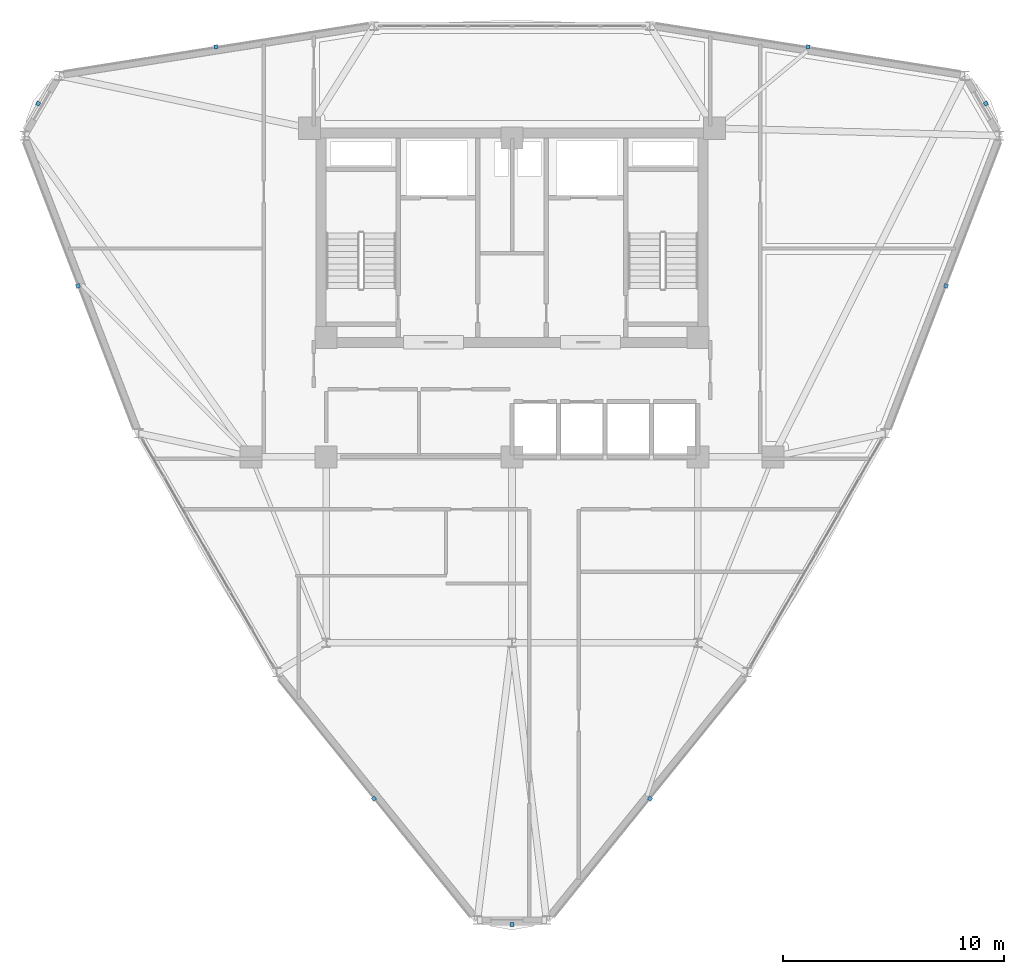
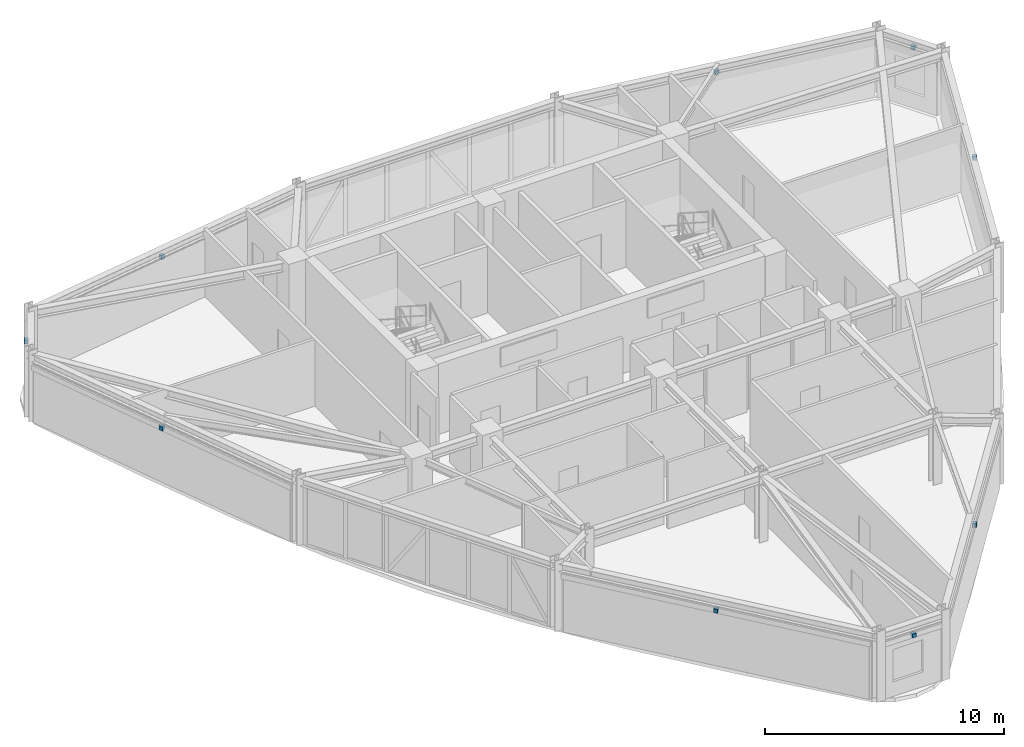
# One storey, part 12 of 14: 9 discrete accessories.
"""IFC4 building model written with IfcOpenShell, lengths in metres."""

from ifc_helpers import new_model, si_unit, derived_unit, direction, frame, origin, origin_2d, place, context, subcontext, project, spatial, rectangle, extrude, source, transform, mapped, material, type_object, element, save


model = new_model("IFC4")

# Units and contexts
model_context = context("Model", 3, precision=1e-05, world=origin(), true_north=direction((0.0, 1.0)))
body_context = subcontext(model_context, "Body", "Model", "MODEL_VIEW")
ifc_project = project(units=[si_unit("LENGTHUNIT", "METRE"), si_unit("AREAUNIT", "SQUARE_METRE"), si_unit("VOLUMEUNIT", "CUBIC_METRE"), si_unit("PLANEANGLEUNIT", "RADIAN"), si_unit("MASSUNIT", "GRAM", prefix="KILO"), derived_unit("THERMALTRANSMITTANCEUNIT", [(si_unit("POWERUNIT", "WATT"), 1), (si_unit("LENGTHUNIT", "METRE"), -2), (si_unit("THERMODYNAMICTEMPERATUREUNIT", "KELVIN"), -1)])], contexts=[model_context])

# Site, building, storey
site_placement = place(None, origin())
site = spatial("IfcSite", under=ifc_project, at=site_placement, CompositionType="ELEMENT")
building_placement = place(site_placement, origin())
building = spatial("IfcBuilding", under=site, at=building_placement, Name="Korsvarv Bourse and Concert Hall", CompositionType="ELEMENT")
storey_placement = place(building_placement, frame((0.0, 0.0, 193.800048828125)))
storey = spatial("IfcBuildingStorey", under=building, at=storey_placement, Name="L50", CompositionType="ELEMENT", Elevation=193.800048828125)

# Discrete accessories
ifc_material = material(Name="Stainless Steel S355 facade outrigger bracket", Category="steel")
discrete_accessory_type = type_object("IfcDiscreteAccessoryType", Name="ACC-BRK-1", PredefinedType="BRACKET", material=ifc_material)
shared_shape = source(origin(), body_context, "Body", "SweptSolid", [
    extrude(rectangle(XDim=0.179931640625, YDim=0.179931640625, at=origin_2d()), origin(), (0.0, 0.0, 1.0), 0.199951171875),
])
for number, where, z_axis, x_axis, name in (
    (1, (57.412353515625, 48.3623046875, 2.75), (0.0, 0.0, 1.0), (-0.5, 0.866025403784, 0.0), "L50 terracotta sunshade bracket EW-L50-B01"),
    (2, (49.37744140625, 50.9248046875, 2.75), (0.0, 0.0, 1.0), (-0.98774288635, 0.156089687246, 0.0), "L50 terracotta sunshade bracket EW-L50-B02"),
    (3, (22.62255859375, 50.9248046875, 2.68994140625), (0.0, 0.0, 1.0), (-0.98774288635, -0.156089687246, 0.0), "L50 terracotta sunshade bracket EW-L50-B04"),
    (4, (14.587646484375, 48.3623046875, 2.75), (0.0, 0.0, 1.0), (-0.5, -0.866025403784, 0.0), "L50 terracotta sunshade bracket EW-L50-B05"),
    (5, (16.385986328125, 40.122802734375, 2.68994140625), (0.0, 0.0, 1.0), (0.358693808751, -0.93345527561, 0.0), "L50 terracotta sunshade bracket EW-L50-B06"),
    (6, (29.76318359375, 16.952392578125, 2.75), (0.0, 0.0, 1.0), (0.629049077599, -0.777365588364, 0.0), "L50 terracotta sunshade bracket EW-L50-B08"),
    (7, (36.0, 11.275146484375, 2.75), (0.0, 0.0, 1.0), (1.0, 0.0, 0.0), "L50 terracotta sunshade bracket EW-L50-B09"),
    (8, (42.23681640625, 16.952392578125, 2.75), (0.0, 0.0, 1.0), (0.629049077599, 0.777365588364, 0.0), "L50 terracotta sunshade bracket EW-L50-B10"),
    (9, (55.614013671875, 40.122802734375, 2.75), (0.0, 0.0, 1.0), (0.358693808751, 0.93345527561, 0.0), "L50 terracotta sunshade bracket EW-L50-B12"),
):
    element("IfcDiscreteAccessory", number, at=place(storey_placement, frame(where, z_axis=z_axis, x_axis=x_axis)), inside=storey, type_object=discrete_accessory_type, Name=name, PredefinedType="BRACKET", context=body_context, shape_type="MappedRepresentation", body=[
        mapped(shared_shape, transform((0.0, 0.0, 0.0), scale=1.0)),
    ])

save(model, "model.ifc")
